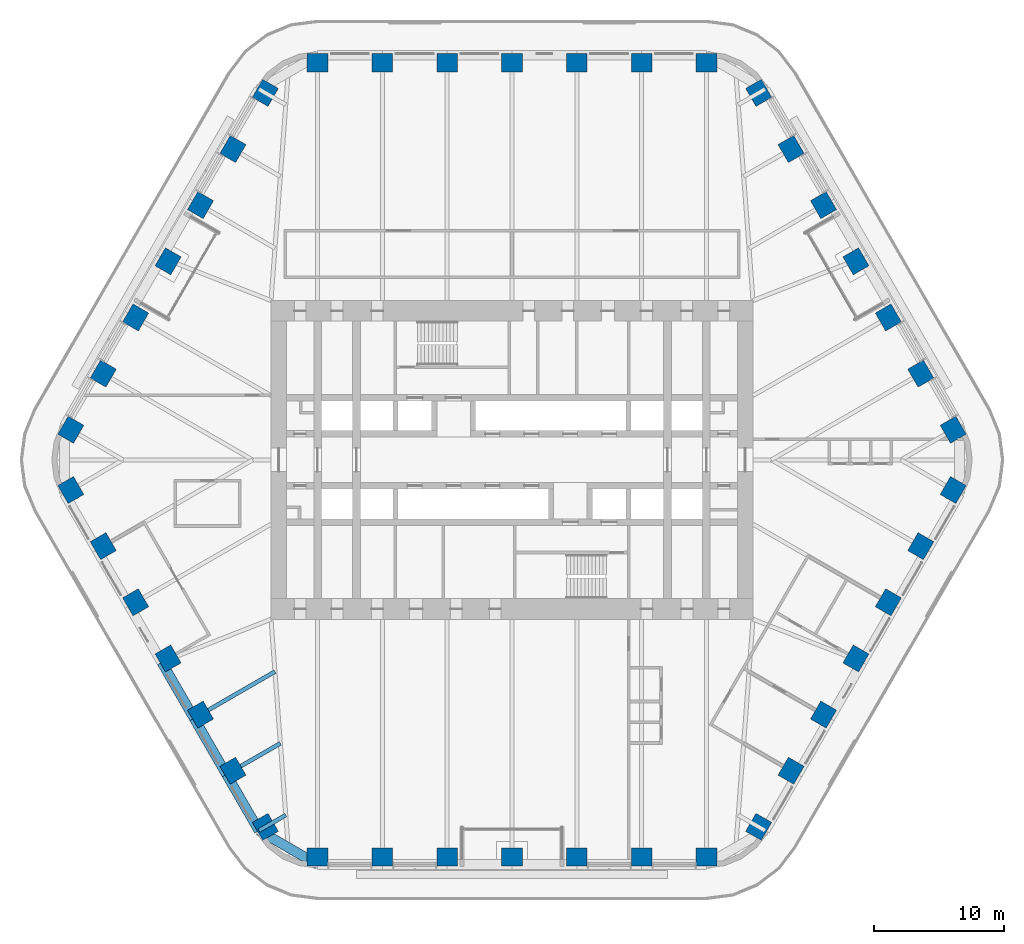
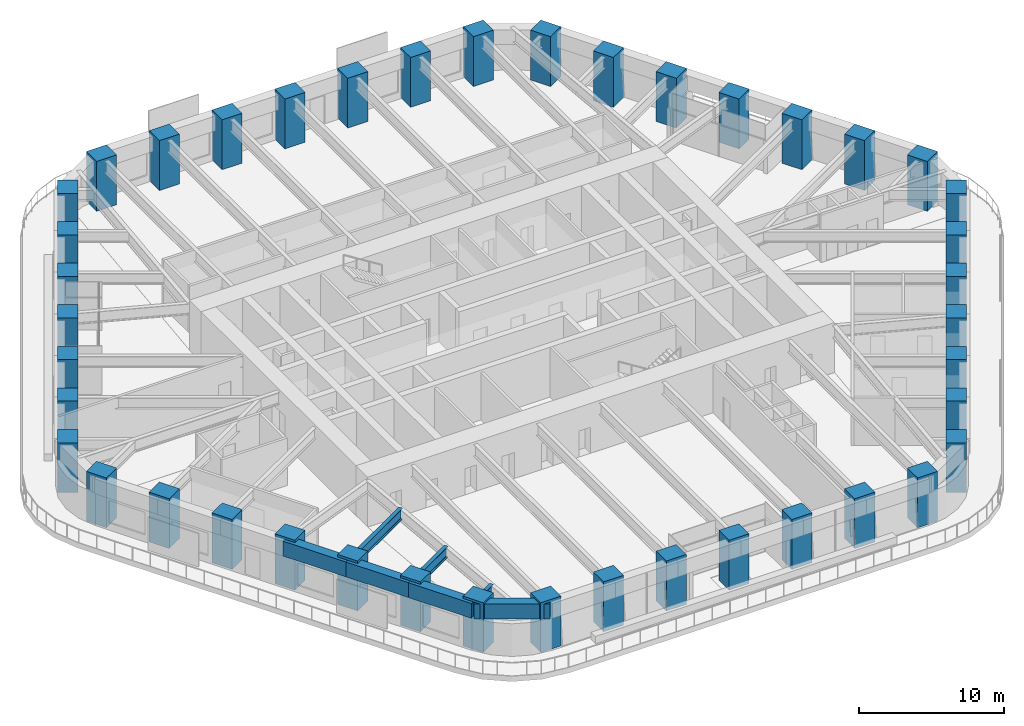
# One storey, part 1 of 24: 42 columns, 7 beams.
"""IFC4 building model written with IfcOpenShell, lengths in metres."""

from ifc_helpers import new_model, si_unit, direction, frame, origin, origin_2d, place, context, subcontext, project, spatial, rectangle, i_section, extrude, material, material_profile, profile_set, type_object, element, save


model = new_model("IFC4")

# Units and contexts
model_context = context("Model", 3, precision=1e-05, world=origin(), true_north=direction((0.0, 1.0)))
body_context = subcontext(model_context, "Body", "Model", "MODEL_VIEW")
ifc_project = project(units=[si_unit("LENGTHUNIT", "METRE"), si_unit("AREAUNIT", "SQUARE_METRE"), si_unit("VOLUMEUNIT", "CUBIC_METRE"), si_unit("PLANEANGLEUNIT", "RADIAN"), si_unit("MASSUNIT", "GRAM", prefix="KILO")], contexts=[model_context])

# Site, building, storey
site_placement = place(None, origin())
site = spatial("IfcSite", under=ifc_project, at=site_placement, CompositionType="ELEMENT")
building_placement = place(site_placement, origin())
building = spatial("IfcBuilding", under=site, at=building_placement, Name="Tarfa Lantern Tower", CompositionType="ELEMENT")
storey_placement = place(building_placement, frame((0.0, 0.0, 165.699951171875)))
storey = spatial("IfcBuildingStorey", under=building, at=storey_placement, Name="L37", CompositionType="ELEMENT", Elevation=165.699951171875)

# Columns
ifc_material_1 = material(Name="Concrete C80/95", Category="concrete")
ifc_material_profile_1 = material_profile(ifc_material_1, rectangle(XDim=1.60009765625, YDim=1.39990234375, at=origin_2d()), Name="RC 1600x1400")
ifc_profile_set_1 = profile_set([ifc_material_profile_1], Name="Concrete C80/95")
column_type = type_object("IfcColumnType", Name="TC7 RC 1600x1400", PredefinedType="COLUMN", material=ifc_profile_set_1)
for number, where, z_axis, x_axis, name in (
    (1, (34.04931640625, 2.324951171875, 0.0), (0.0, 0.0, 1.0), (-0.5, 0.866025403784, 0.0), "Tube column NE0"),
    (2, (31.54736328125, 6.658447265625, 0.0), (0.0, 0.0, 1.0), (-0.5, 0.866025403784, 0.0), "Tube column NE1"),
    (3, (29.04541015625, 10.99169921875, 0.0), (0.0, 0.0, 1.0), (-0.5, 0.866025403784, 0.0), "Tube column NE2"),
    (4, (26.543701171875, 15.324951171875, 0.0), (0.0, 0.0, 1.0), (-0.5, 0.866025403784, 0.0), "Tube column NE3"),
    (5, (24.041748046875, 19.658447265625, 0.0), (0.0, 0.0, 1.0), (-0.5, 0.866025403784, 0.0), "Tube column NE4"),
    (6, (21.5400390625, 23.99169921875, 0.0), (0.0, 0.0, 1.0), (-0.5, 0.866025403784, 0.0), "Tube column NE5"),
    (7, (19.0380859375, 28.324951171875, 0.0), (0.0, 0.0, 1.0), (-0.5, 0.866025403784, 0.0), "Tube column NE6"),
    (8, (15.010986328125, 30.64990234375, 0.0), (0.0, 0.0, 1.0), (-1.0, 0.0, 0.0), "Tube column N0"),
    (9, (10.00732421875, 30.64990234375, 0.0), (0.0, 0.0, 1.0), (-1.0, 0.0, 0.0), "Tube column N1"),
    (10, (5.003662109375, 30.64990234375, 0.0), (0.0, 0.0, 1.0), (-1.0, 0.0, 0.0), "Tube column N2"),
    (11, (0.0, 30.64990234375, 0.0), (0.0, 0.0, 1.0), (-1.0, 0.0, 0.0), "Tube column N3"),
    (12, (-5.003662109375, 30.64990234375, 0.0), (0.0, 0.0, 1.0), (-1.0, 0.0, 0.0), "Tube column N4"),
    (13, (-10.00732421875, 30.64990234375, 0.0), (0.0, 0.0, 1.0), (-1.0, 0.0, 0.0), "Tube column N5"),
    (14, (-15.010986328125, 30.64990234375, 0.0), (0.0, 0.0, 1.0), (-1.0, 0.0, 0.0), "Tube column N6"),
    (15, (-19.0380859375, 28.324951171875, 0.0), (0.0, 0.0, 1.0), (-0.5, -0.866025403784, 0.0), "Tube column NW0"),
    (16, (-21.5400390625, 23.99169921875, 0.0), (0.0, 0.0, 1.0), (-0.5, -0.866025403784, 0.0), "Tube column NW1"),
    (17, (-24.041748046875, 19.658447265625, 0.0), (0.0, 0.0, 1.0), (-0.5, -0.866025403784, 0.0), "Tube column NW2"),
    (18, (-26.543701171875, 15.324951171875, 0.0), (0.0, 0.0, 1.0), (-0.5, -0.866025403784, 0.0), "Tube column NW3"),
    (19, (-29.04541015625, 10.99169921875, 0.0), (0.0, 0.0, 1.0), (-0.5, -0.866025403784, 0.0), "Tube column NW4"),
    (20, (-31.54736328125, 6.658447265625, 0.0), (0.0, 0.0, 1.0), (-0.5, -0.866025403784, 0.0), "Tube column NW5"),
    (21, (-34.04931640625, 2.324951171875, 0.0), (0.0, 0.0, 1.0), (-0.5, -0.866025403784, 0.0), "Tube column NW6"),
    (22, (-34.04931640625, -2.324951171875, 0.0), (0.0, 0.0, 1.0), (0.5, -0.866025403784, 0.0), "Tube column SW0"),
    (23, (-31.54736328125, -6.658447265625, 0.0), (0.0, 0.0, 1.0), (0.5, -0.866025403784, 0.0), "Tube column SW1"),
    (24, (-29.04541015625, -10.99169921875, 0.0), (0.0, 0.0, 1.0), (0.5, -0.866025403784, 0.0), "Tube column SW2"),
    (25, (-26.543701171875, -15.324951171875, 0.0), (0.0, 0.0, 1.0), (0.5, -0.866025403784, 0.0), "Tube column SW3"),
    (26, (-24.041748046875, -19.658447265625, 0.0), (0.0, 0.0, 1.0), (0.5, -0.866025403784, 0.0), "Tube column SW4"),
    (27, (-21.5400390625, -23.99169921875, 0.0), (0.0, 0.0, 1.0), (0.5, -0.866025403784, 0.0), "Tube column SW5"),
    (28, (-19.0380859375, -28.324951171875, 0.0), (0.0, 0.0, 1.0), (0.5, -0.866025403784, 0.0), "Tube column SW6"),
    (29, (-15.010986328125, -30.64990234375, 0.0), (0.0, 0.0, 1.0), (1.0, 0.0, 0.0), "Tube column S0"),
    (30, (-10.00732421875, -30.64990234375, 0.0), (0.0, 0.0, 1.0), (1.0, 0.0, 0.0), "Tube column S1"),
    (31, (-5.003662109375, -30.64990234375, 0.0), (0.0, 0.0, 1.0), (1.0, 0.0, 0.0), "Tube column S2"),
    (32, (0.0, -30.64990234375, 0.0), (0.0, 0.0, 1.0), (1.0, 0.0, 0.0), "Tube column S3"),
    (33, (5.003662109375, -30.64990234375, 0.0), (0.0, 0.0, 1.0), (1.0, 0.0, 0.0), "Tube column S4"),
    (34, (10.00732421875, -30.64990234375, 0.0), (0.0, 0.0, 1.0), (1.0, 0.0, 0.0), "Tube column S5"),
    (35, (15.010986328125, -30.64990234375, 0.0), (0.0, 0.0, 1.0), (1.0, 0.0, 0.0), "Tube column S6"),
    (36, (19.0380859375, -28.324951171875, 0.0), (0.0, 0.0, 1.0), (0.5, 0.866025403784, 0.0), "Tube column SE0"),
    (37, (21.5400390625, -23.99169921875, 0.0), (0.0, 0.0, 1.0), (0.5, 0.866025403784, 0.0), "Tube column SE1"),
    (38, (24.041748046875, -19.658447265625, 0.0), (0.0, 0.0, 1.0), (0.5, 0.866025403784, 0.0), "Tube column SE2"),
    (39, (26.543701171875, -15.324951171875, 0.0), (0.0, 0.0, 1.0), (0.5, 0.866025403784, 0.0), "Tube column SE3"),
    (40, (29.04541015625, -10.99169921875, 0.0), (0.0, 0.0, 1.0), (0.5, 0.866025403784, 0.0), "Tube column SE4"),
    (41, (31.54736328125, -6.658447265625, 0.0), (0.0, 0.0, 1.0), (0.5, 0.866025403784, 0.0), "Tube column SE5"),
    (42, (34.04931640625, -2.324951171875, 0.0), (0.0, 0.0, 1.0), (0.5, 0.866025403784, 0.0), "Tube column SE6"),
):
    element("IfcColumn", number, at=place(storey_placement, frame(where, z_axis=z_axis, x_axis=x_axis)), inside=storey, type_object=column_type, Name=name, PredefinedType="COLUMN", context=body_context, shape_type="SweptSolid", body=[
        extrude(rectangle(XDim=1.60009765625, YDim=1.39990234375, at=origin_2d()), origin(), (0.0, 0.0, 1.0), 4.199951171875),
    ])

# Beams
ifc_material_profile_2 = material_profile(ifc_material_1, rectangle(XDim=0.75, YDim=1.25, at=origin_2d()), Name="RC 750x1250")
ifc_profile_set_2 = profile_set([ifc_material_profile_2], Name="Concrete C80/95")
beam_type_1 = type_object("IfcBeamType", Name="EB2 RC 750x1250", PredefinedType="SPANDREL", material=ifc_profile_set_2)
for number, where, z_axis, x_axis, name in (
    (43, (-27.037353515625, -15.610107421875, 3.375), (0.500022324899, -0.866012514114, 0.0), (0.866012514114, 0.500022324899, 0.0), "Edge beam SW3"),
    (44, (-24.535400390625, -19.943359375, 3.375), (0.49998573051, -0.866033642122, 0.0), (0.866033642122, 0.49998573051, 0.0), "Edge beam SW4"),
):
    element("IfcBeam", number, at=place(storey_placement, frame(where, z_axis=z_axis, x_axis=x_axis)), inside=storey, type_object=beam_type_1, Name=name, PredefinedType="SPANDREL", context=body_context, shape_type="SweptSolid", body=[
        extrude(rectangle(XDim=0.75, YDim=1.25, at=origin_2d()), origin(), (0.0, 0.0, 1.0), 5.003662109375),
    ])
beam_1_placement = place(storey_placement, frame((-22.03369140625, -24.276611328125, 3.375), z_axis=(0.500001197378, -0.866024712477, 0.0), x_axis=(0.866024712477, 0.500001197378, 0.0)))
element("IfcBeam", 45, at=beam_1_placement, inside=storey, type_object=beam_type_1, Name="Edge beam SW5", PredefinedType="SPANDREL", context=body_context, shape_type="SweptSolid", body=[
    extrude(rectangle(XDim=0.75, YDim=1.25, at=origin_2d()), origin(), (0.0, 0.0, 1.0), 5.00390625),
])
beam_2_placement = place(storey_placement, frame((-19.53173828125, -28.610107421875, 3.375), z_axis=(0.86604150238, -0.499972115377, 0.0), x_axis=(0.499972115377, 0.86604150238, 0.0)))
element("IfcBeam", 46, at=beam_2_placement, inside=storey, type_object=beam_type_1, Name="Edge beam SW6", PredefinedType="SPANDREL", context=body_context, shape_type="SweptSolid", body=[
    extrude(rectangle(XDim=0.75, YDim=1.25, at=origin_2d()), origin(), (0.0, 0.0, 1.0), 5.219970703125),
])
ifc_material_2 = material(Name="Steel S460M", Category="steel")
ifc_material_profile_3 = material_profile(ifc_material_2, i_section(OverallWidth=0.305419921875, OverallDepth=0.91845703125, WebThickness=0.017333984375, FlangeThickness=0.02783203125, FilletRadius=0.01904296875, at=origin_2d()), Name="UB914x305x253")
ifc_profile_set_3 = profile_set([ifc_material_profile_3], Name="Steel S460M")
beam_type_2 = type_object("IfcBeamType", Name="UB914x305x253", PredefinedType="BEAM", material=ifc_profile_set_3)
beam_3_placement = place(storey_placement, frame((-24.535400390625, -19.943359375, 3.540771484375), z_axis=(0.86602647304, 0.499998147991, 0.0), x_axis=(-0.499998147991, 0.86602647304, 0.0)))
element("IfcBeam", 47, at=beam_3_placement, inside=storey, type_object=beam_type_2, Name="Floor beam SW4", PredefinedType="BEAM", context=body_context, shape_type="SweptSolid", body=[
    extrude(i_section(OverallWidth=0.305419921875, OverallDepth=0.91845703125, WebThickness=0.017333984375, FlangeThickness=0.02783203125, FilletRadius=0.01904296875, at=origin_2d()), origin(), (0.0, 0.0, 1.0), 7.20556640625),
])
beam_4_placement = place(storey_placement, frame((-22.03369140625, -24.276611328125, 3.540771484375), z_axis=(0.866030550462, 0.499991085587, 0.0), x_axis=(-0.499991085587, 0.866030550462, 0.0)))
element("IfcBeam", 48, at=beam_4_placement, inside=storey, type_object=beam_type_2, Name="Floor beam SW5", PredefinedType="BEAM", context=body_context, shape_type="SweptSolid", body=[
    extrude(i_section(OverallWidth=0.305419921875, OverallDepth=0.91845703125, WebThickness=0.017333984375, FlangeThickness=0.02783203125, FilletRadius=0.01904296875, at=origin_2d()), origin(), (0.0, 0.0, 1.0), 4.798828125),
])
beam_5_placement = place(storey_placement, frame((-19.53173828125, -28.610107421875, 3.540771484375), z_axis=(0.865998640954, 0.500046351717, 0.0), x_axis=(-0.500046351717, 0.865998640954, 0.0)))
element("IfcBeam", 49, at=beam_5_placement, inside=storey, type_object=beam_type_2, Name="Floor beam SW6", PredefinedType="BEAM", context=body_context, shape_type="SweptSolid", body=[
    extrude(i_section(OverallWidth=0.305419921875, OverallDepth=0.91845703125, WebThickness=0.017333984375, FlangeThickness=0.02783203125, FilletRadius=0.01904296875, at=origin_2d()), origin(), (0.0, 0.0, 1.0), 2.392333984375),
])

save(model, "model.ifc")
